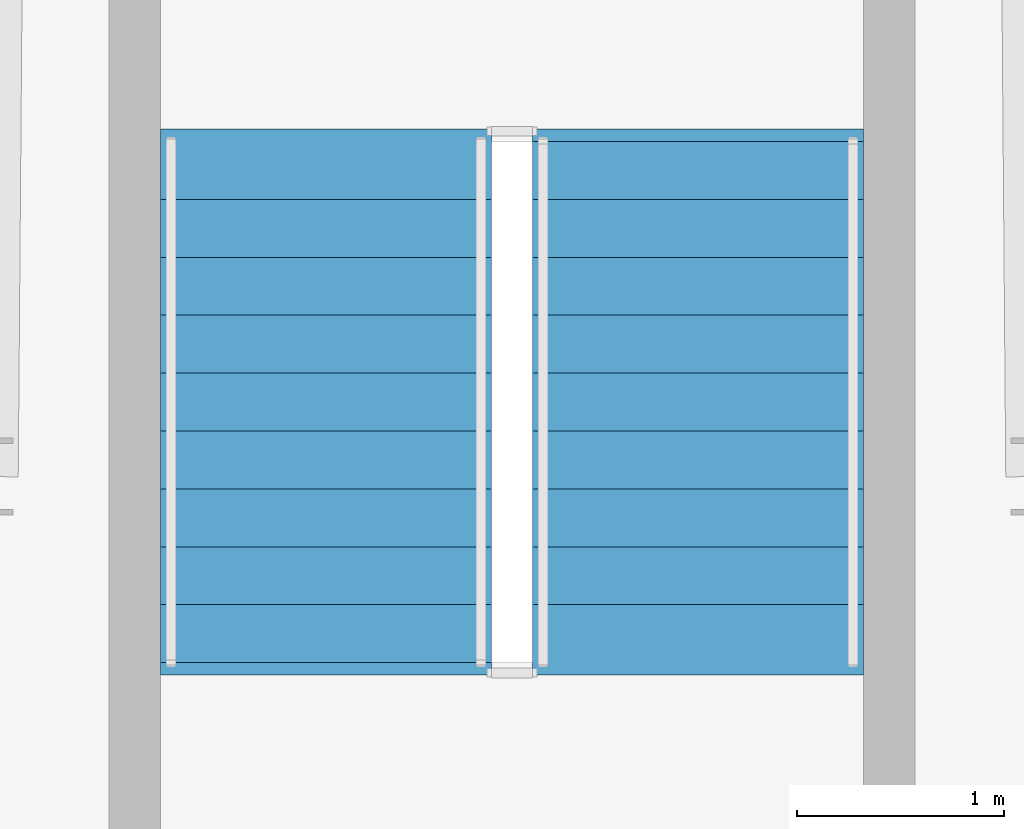
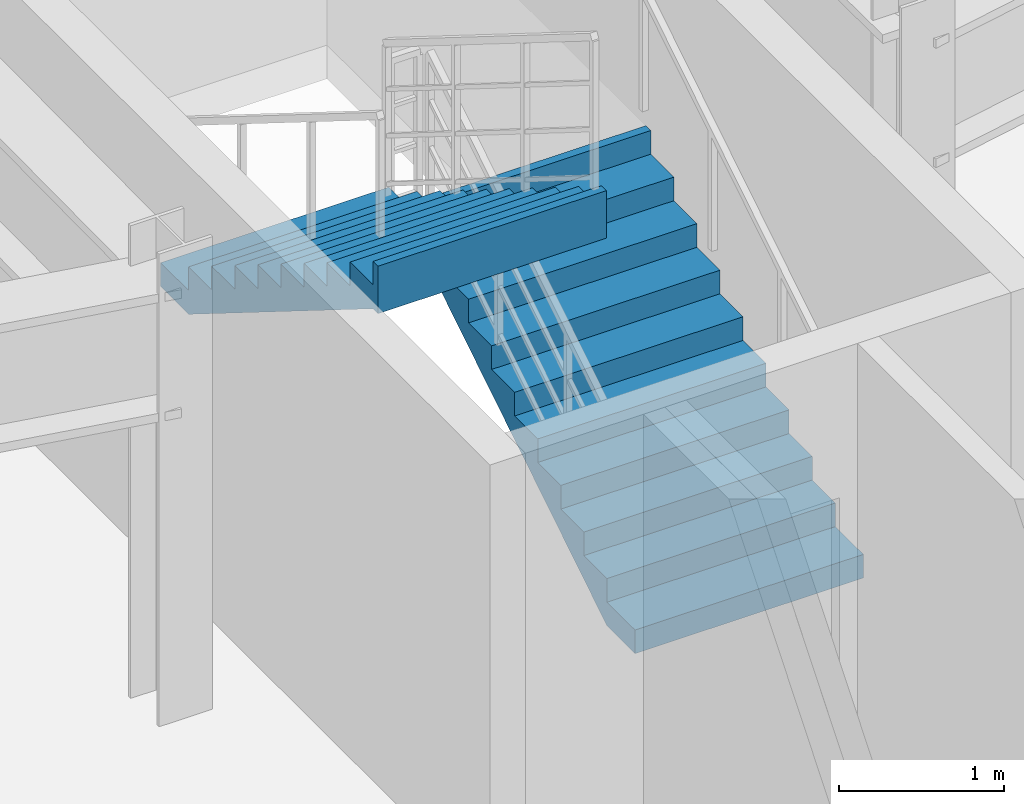
# One storey, part 11 of 12: 2 stair flights, 1 element without a shape of its own.
"""IFC4 building model written with IfcOpenShell, lengths in metres."""

from ifc_helpers import new_model, si_unit, direction, frame, origin, place, context, subcontext, project, spatial, polyline, outline, extrude, material, type_object, element, aggregate, save


model = new_model("IFC4")

# Units and contexts
model_context = context("Model", 3, precision=1e-05, world=origin(), true_north=direction((0.0, 1.0)))
body_context = subcontext(model_context, "Body", "Model", "MODEL_VIEW")
ifc_project = project(units=[si_unit("LENGTHUNIT", "METRE"), si_unit("AREAUNIT", "SQUARE_METRE"), si_unit("VOLUMEUNIT", "CUBIC_METRE"), si_unit("PLANEANGLEUNIT", "RADIAN"), si_unit("MASSUNIT", "GRAM", prefix="KILO")], contexts=[model_context])

# Site, building, storey
site_placement = place(None, origin())
site = spatial("IfcSite", under=ifc_project, at=site_placement, CompositionType="ELEMENT")
building_placement = place(site_placement, origin())
building = spatial("IfcBuilding", under=site, at=building_placement, Name="Varakhsha Concourse Tower", CompositionType="ELEMENT")
storey_placement = place(building_placement, frame((0.0, 0.0, 286.5)))
storey = spatial("IfcBuildingStorey", under=building, at=storey_placement, Name="L81", CompositionType="ELEMENT", Elevation=286.5)

# Stair, stair flights
ifc_material = material(Name="Concrete fc 45 MPa", Category="concrete")
stair_type = type_object("IfcStairType", Name="ST-DOGLEG-1600", PredefinedType="HALF_TURN_STAIR", material=ifc_material)
stair_placement = place(storey_placement, origin())
stair = element("IfcStair", 1, at=stair_placement, inside=storey, type_object=stair_type, Name="L81 Protected Exit Stair ST5", PredefinedType="HALF_TURN_STAIR")
stair_flight_type = type_object("IfcStairFlightType", Name="STF-1600-R1750", PredefinedType="STRAIGHT", material=ifc_material)
stair_flight_1_placement = place(storey_placement, frame((40.89990234375, 40.300048828125, 0.0), z_axis=(0.0, 0.0, 1.0), x_axis=(0.0, 1.0, 0.0)))
stair_flight_1 = element("IfcStairFlight", 2, at=stair_flight_1_placement, type_object=stair_flight_type, Name="ST5 flight 1", NumberOfRisers=10, NumberOfTreads=9, PredefinedType="STRAIGHT", RiserHeight=0.175, TreadLength=0.28, context=body_context, shape_type="SweptSolid", body=[
    extrude(outline(polyline([(-0.06005859375, 0.0), (-0.06005859375, 0.175048828125), (0.0, 0.175048828125), (0.280029296875, 0.175048828125), (0.280029296875, 0.35009765625), (0.56005859375, 0.35009765625), (0.56005859375, 0.52490234375), (0.840087890625, 0.52490234375), (0.840087890625, 0.699951171875), (1.1201171875, 0.699951171875), (1.1201171875, 0.875), (1.39990234375, 0.875), (1.39990234375, 1.050048828125), (1.679931640625, 1.050048828125), (1.679931640625, 1.22509765625), (1.9599609375, 1.22509765625), (1.9599609375, 1.39990234375), (2.239990234375, 1.39990234375), (2.239990234375, 1.574951171875), (2.52001953125, 1.574951171875), (2.52001953125, 1.75), (2.580078125, 1.75), (2.580078125, 1.398193359375), (2.52001953125, 1.398193359375), (0.28271484375, 0.0), (-0.06005859375, 0.0)])), frame((0.0, 0.800048828125, 0.0), z_axis=(0.0, -1.0, 0.0), x_axis=(1.0, 0.0, 0.0)), (0.0, 0.0, 1.0), 1.60009765625),
])
stair_flight_2_placement = place(storey_placement, frame((39.10009765625, 42.820068359375, 1.75), z_axis=(0.0, 0.0, 1.0), x_axis=(0.0, -1.0, 0.0)))
stair_flight_2 = element("IfcStairFlight", 3, at=stair_flight_2_placement, type_object=stair_flight_type, Name="ST5 flight 2", NumberOfRisers=10, NumberOfTreads=9, PredefinedType="STRAIGHT", RiserHeight=0.175, TreadLength=0.28, context=body_context, shape_type="SweptSolid", body=[
    extrude(outline(polyline([(-0.06005859375, 0.0), (-0.06005859375, 0.175048828125), (0.0, 0.175048828125), (0.280029296875, 0.175048828125), (0.280029296875, 0.35009765625), (0.56005859375, 0.35009765625), (0.56005859375, 0.52490234375), (0.840087890625, 0.52490234375), (0.840087890625, 0.699951171875), (1.1201171875, 0.699951171875), (1.1201171875, 0.875), (1.39990234375, 0.875), (1.39990234375, 1.050048828125), (1.679931640625, 1.050048828125), (1.679931640625, 1.22509765625), (1.9599609375, 1.22509765625), (1.9599609375, 1.39990234375), (2.239990234375, 1.39990234375), (2.239990234375, 1.574951171875), (2.52001953125, 1.574951171875), (2.52001953125, 1.75), (2.580078125, 1.75), (2.580078125, 1.398193359375), (2.52001953125, 1.398193359375), (0.28271484375, 0.0), (-0.06005859375, 0.0)])), frame((0.0, 0.800048828125, 0.0), z_axis=(0.0, -1.0, 0.0), x_axis=(1.0, 0.0, 0.0)), (0.0, 0.0, 1.0), 1.60009765625),
])
aggregate(stair, [stair_flight_1, stair_flight_2])

save(model, "model.ifc")
